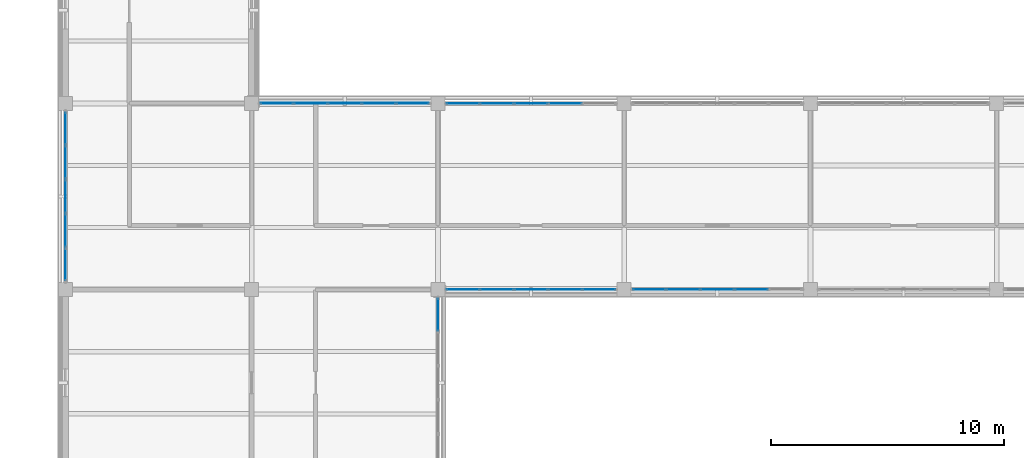
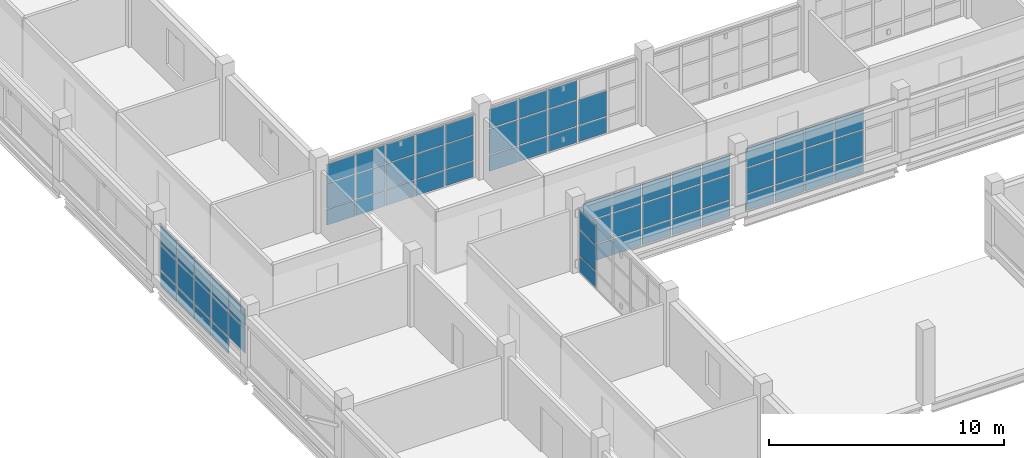
# One storey, part 67 of 126: 70 plates, 6 elements without a shape of their own.
"""IFC4 building model written with IfcOpenShell, lengths in metres."""

from ifc_helpers import new_model, si_unit, derived_unit, direction, frame, origin, origin_2d, place, context, subcontext, project, spatial, rectangle, extrude, material, layer, layer_set, type_object, element, aggregate, save


model = new_model("IFC4")

# Units and contexts
model_context = context("Model", 3, precision=1e-05, world=origin(), true_north=direction((0.0, 1.0)))
body_context = subcontext(model_context, "Body", "Model", "MODEL_VIEW")
ifc_project = project(units=[si_unit("LENGTHUNIT", "METRE"), si_unit("AREAUNIT", "SQUARE_METRE"), si_unit("VOLUMEUNIT", "CUBIC_METRE"), si_unit("PLANEANGLEUNIT", "RADIAN"), si_unit("MASSUNIT", "GRAM", prefix="KILO"), derived_unit("THERMALTRANSMITTANCEUNIT", [(si_unit("MASSUNIT", "GRAM", prefix="KILO"), 1), (si_unit("TIMEUNIT", "SECOND"), -3), (si_unit("THERMODYNAMICTEMPERATUREUNIT", "KELVIN"), -1)])], contexts=[model_context])

# Site, building, storey
site_placement = place(None, origin())
site = spatial("IfcSite", under=ifc_project, at=site_placement, CompositionType="ELEMENT")
building_placement = place(site_placement, origin())
building = spatial("IfcBuilding", under=site, at=building_placement, Name="Veyamyaing Civic Hall", CompositionType="ELEMENT")
storey_placement = place(building_placement, frame((0.0, 0.0, 9.89990234375)))
storey = spatial("IfcBuildingStorey", under=building, at=storey_placement, Name="L02", CompositionType="ELEMENT", Elevation=9.89990234375)

# Curtain wall, plates
ifc_material_1 = material(Name="Anodised aluminium 6063-T6", Category="aluminium")
ifc_layer_1 = layer(ifc_material_1, 0.139892578125, Name="Anodised aluminium 6063-T6")
ifc_layer_set_1 = layer_set([ifc_layer_1], Name="Anodised aluminium 6063-T6")
curtain_wall_type_1 = type_object("IfcCurtainWallType", Name="CW-04", PredefinedType="NOTDEFINED", material=ifc_layer_set_1)
curtain_wall_1_placement = place(storey_placement, origin())
curtain_wall_1 = element("IfcCurtainWall", 1, at=curtain_wall_1_placement, inside=storey, type_object=curtain_wall_type_1, Name="Unitized curtain wall CW-04 L02 S 4.7", PredefinedType="NOTDEFINED")
ifc_material_2 = material(Name="Low-E insulated glass", Category="glass")
ifc_layer_2 = layer(ifc_material_2, 0.028076171875, Name="Low-E insulated glass")
ifc_layer_set_2 = layer_set([ifc_layer_2], Name="Low-E insulated glass")
plate_type_1 = type_object("IfcPlateType", Name="CWP-01", PredefinedType="CURTAIN_PANEL", material=ifc_layer_set_2)
plate_1_placement = place(storey_placement, frame((25.0791015625, 48.0, 0.06005859375), z_axis=(0.0, 0.0, 1.0), x_axis=(1.0, 0.0, 0.0)))
plate_1 = element("IfcPlate", 2, at=plate_1_placement, type_object=plate_type_1, Name="CW-04 panel 1.1", PredefinedType="CURTAIN_PANEL", context=body_context, shape_type="SweptSolid", body=[
    extrude(rectangle(XDim=1.3779296875, YDim=0.028076171875, at=origin_2d()), origin(), (0.0, 0.0, 1.0), 0.81005859375),
])
plate_2_placement = place(storey_placement, frame((25.0791015625, 48.0, 0.93017578125), z_axis=(0.0, 0.0, 1.0), x_axis=(1.0, 0.0, 0.0)))
plate_2 = element("IfcPlate", 3, at=plate_2_placement, type_object=plate_type_1, Name="CW-04 panel 1.2", PredefinedType="CURTAIN_PANEL", context=body_context, shape_type="SweptSolid", body=[
    extrude(rectangle(XDim=1.3779296875, YDim=0.028076171875, at=origin_2d()), origin(), (0.0, 0.0, 1.0), 1.31591796875),
])
plate_3_placement = place(storey_placement, frame((25.0791015625, 48.0, 2.30615234375), z_axis=(0.0, 0.0, 1.0), x_axis=(1.0, 0.0, 0.0)))
plate_3 = element("IfcPlate", 4, at=plate_3_placement, type_object=plate_type_1, Name="CW-04 panel 1.3", PredefinedType="CURTAIN_PANEL", context=body_context, shape_type="SweptSolid", body=[
    extrude(rectangle(XDim=1.3779296875, YDim=0.028076171875, at=origin_2d()), origin(), (0.0, 0.0, 1.0), 0.98095703125),
])
plate_4_placement = place(storey_placement, frame((26.531982421875, 48.0, 0.06005859375), z_axis=(0.0, 0.0, 1.0), x_axis=(1.0, 0.0, 0.0)))
plate_4 = element("IfcPlate", 5, at=plate_4_placement, type_object=plate_type_1, Name="CW-04 panel 2.1", PredefinedType="CURTAIN_PANEL", context=body_context, shape_type="SweptSolid", body=[
    extrude(rectangle(XDim=1.407958984375, YDim=0.028076171875, at=origin_2d()), origin(), (0.0, 0.0, 1.0), 0.81005859375),
])
plate_5_placement = place(storey_placement, frame((26.531982421875, 48.0, 0.93017578125), z_axis=(0.0, 0.0, 1.0), x_axis=(1.0, 0.0, 0.0)))
plate_5 = element("IfcPlate", 6, at=plate_5_placement, type_object=plate_type_1, Name="CW-04 panel 2.2", PredefinedType="CURTAIN_PANEL", context=body_context, shape_type="SweptSolid", body=[
    extrude(rectangle(XDim=1.407958984375, YDim=0.028076171875, at=origin_2d()), origin(), (0.0, 0.0, 1.0), 1.31591796875),
])
plate_6_placement = place(storey_placement, frame((26.531982421875, 48.0, 2.30615234375), z_axis=(0.0, 0.0, 1.0), x_axis=(1.0, 0.0, 0.0)))
plate_6 = element("IfcPlate", 7, at=plate_6_placement, type_object=plate_type_1, Name="CW-04 panel 2.3", PredefinedType="CURTAIN_PANEL", context=body_context, shape_type="SweptSolid", body=[
    extrude(rectangle(XDim=1.407958984375, YDim=0.028076171875, at=origin_2d()), origin(), (0.0, 0.0, 1.0), 0.98095703125),
])
plate_7_placement = place(storey_placement, frame((28.0, 48.0, 0.06005859375), z_axis=(0.0, 0.0, 1.0), x_axis=(1.0, 0.0, 0.0)))
plate_7 = element("IfcPlate", 8, at=plate_7_placement, type_object=plate_type_1, Name="CW-04 panel 3.1", PredefinedType="CURTAIN_PANEL", context=body_context, shape_type="SweptSolid", body=[
    extrude(rectangle(XDim=1.407958984375, YDim=0.028076171875, at=origin_2d()), origin(), (0.0, 0.0, 1.0), 0.81005859375),
])
plate_8_placement = place(storey_placement, frame((28.0, 48.0, 0.93017578125), z_axis=(0.0, 0.0, 1.0), x_axis=(1.0, 0.0, 0.0)))
plate_8 = element("IfcPlate", 9, at=plate_8_placement, type_object=plate_type_1, Name="CW-04 panel 3.2", PredefinedType="CURTAIN_PANEL", context=body_context, shape_type="SweptSolid", body=[
    extrude(rectangle(XDim=1.407958984375, YDim=0.028076171875, at=origin_2d()), origin(), (0.0, 0.0, 1.0), 1.31591796875),
])
plate_9_placement = place(storey_placement, frame((28.0, 48.0, 2.30615234375), z_axis=(0.0, 0.0, 1.0), x_axis=(1.0, 0.0, 0.0)))
plate_9 = element("IfcPlate", 10, at=plate_9_placement, type_object=plate_type_1, Name="CW-04 panel 3.3", PredefinedType="CURTAIN_PANEL", context=body_context, shape_type="SweptSolid", body=[
    extrude(rectangle(XDim=1.407958984375, YDim=0.028076171875, at=origin_2d()), origin(), (0.0, 0.0, 1.0), 0.98095703125),
])
plate_10_placement = place(storey_placement, frame((29.468017578125, 48.0, 0.06005859375), z_axis=(0.0, 0.0, 1.0), x_axis=(1.0, 0.0, 0.0)))
plate_10 = element("IfcPlate", 11, at=plate_10_placement, type_object=plate_type_1, Name="CW-04 panel 4.1", PredefinedType="CURTAIN_PANEL", context=body_context, shape_type="SweptSolid", body=[
    extrude(rectangle(XDim=1.407958984375, YDim=0.028076171875, at=origin_2d()), origin(), (0.0, 0.0, 1.0), 0.81005859375),
])
plate_11_placement = place(storey_placement, frame((29.468017578125, 48.0, 0.93017578125), z_axis=(0.0, 0.0, 1.0), x_axis=(1.0, 0.0, 0.0)))
plate_11 = element("IfcPlate", 12, at=plate_11_placement, type_object=plate_type_1, Name="CW-04 panel 4.2", PredefinedType="CURTAIN_PANEL", context=body_context, shape_type="SweptSolid", body=[
    extrude(rectangle(XDim=1.407958984375, YDim=0.028076171875, at=origin_2d()), origin(), (0.0, 0.0, 1.0), 1.31591796875),
])
plate_12_placement = place(storey_placement, frame((29.468017578125, 48.0, 2.30615234375), z_axis=(0.0, 0.0, 1.0), x_axis=(1.0, 0.0, 0.0)))
plate_12 = element("IfcPlate", 13, at=plate_12_placement, type_object=plate_type_1, Name="CW-04 panel 4.3", PredefinedType="CURTAIN_PANEL", context=body_context, shape_type="SweptSolid", body=[
    extrude(rectangle(XDim=1.407958984375, YDim=0.028076171875, at=origin_2d()), origin(), (0.0, 0.0, 1.0), 0.98095703125),
])
aggregate(curtain_wall_1, [plate_1, plate_2, plate_3, plate_4, plate_5, plate_6, plate_7, plate_8, plate_9, plate_10, plate_11, plate_12])

ifc_layer_3 = layer(ifc_material_1, 0.159912109375, Name="Anodised aluminium 6063-T6")
ifc_layer_set_3 = layer_set([ifc_layer_3], Name="Anodised aluminium 6063-T6")
curtain_wall_type_2 = type_object("IfcCurtainWallType", Name="CW-03", PredefinedType="NOTDEFINED", material=ifc_layer_set_3)
curtain_wall_2_placement = place(storey_placement, origin())
curtain_wall_2 = element("IfcCurtainWall", 14, at=curtain_wall_2_placement, inside=storey, type_object=curtain_wall_type_2, Name="Unitized curtain wall CW-03 L02 W 1.7", PredefinedType="NOTDEFINED")
ifc_layer_4 = layer(ifc_material_2, 0.02392578125, Name="Low-E insulated glass")
ifc_layer_set_4 = layer_set([ifc_layer_4], Name="Low-E insulated glass")
plate_type_2 = type_object("IfcPlateType", Name="CWP-04", PredefinedType="CURTAIN_PANEL", material=ifc_layer_set_4)
plate_13_placement = place(storey_placement, frame((0.0, 49.080322265625, 0.9326171875), z_axis=(0.0, 0.0, 1.0), x_axis=(0.0, 1.0, 0.0)))
plate_13 = element("IfcPlate", 15, at=plate_13_placement, type_object=plate_type_2, Name="CW-03 panel 1.2", PredefinedType="CURTAIN_PANEL", context=body_context, shape_type="SweptSolid", body=[
    extrude(rectangle(XDim=1.37060546875, YDim=0.02392578125, at=origin_2d()), origin(), (0.0, 0.0, 1.0), 1.265380859375),
])
plate_14_placement = place(storey_placement, frame((0.0, 49.080322265625, 2.262939453125), z_axis=(0.0, 0.0, 1.0), x_axis=(0.0, 1.0, 0.0)))
plate_14 = element("IfcPlate", 16, at=plate_14_placement, type_object=plate_type_2, Name="CW-03 panel 1.3", PredefinedType="CURTAIN_PANEL", context=body_context, shape_type="SweptSolid", body=[
    extrude(rectangle(XDim=1.37060546875, YDim=0.02392578125, at=origin_2d()), origin(), (0.0, 0.0, 1.0), 0.9521484375),
])
plate_15_placement = place(storey_placement, frame((0.0, 50.531982421875, 0.06494140625), z_axis=(0.0, 0.0, 1.0), x_axis=(0.0, 1.0, 0.0)))
plate_15 = element("IfcPlate", 17, at=plate_15_placement, type_object=plate_type_2, Name="CW-03 panel 2.1", PredefinedType="CURTAIN_PANEL", context=body_context, shape_type="SweptSolid", body=[
    extrude(rectangle(XDim=1.403076171875, YDim=0.02392578125, at=origin_2d()), origin(), (0.0, 0.0, 1.0), 0.802490234375),
])
plate_16_placement = place(storey_placement, frame((0.0, 50.531982421875, 0.9326171875), z_axis=(0.0, 0.0, 1.0), x_axis=(0.0, 1.0, 0.0)))
plate_16 = element("IfcPlate", 18, at=plate_16_placement, type_object=plate_type_2, Name="CW-03 panel 2.2", PredefinedType="CURTAIN_PANEL", context=body_context, shape_type="SweptSolid", body=[
    extrude(rectangle(XDim=1.403076171875, YDim=0.02392578125, at=origin_2d()), origin(), (0.0, 0.0, 1.0), 1.265380859375),
])
plate_17_placement = place(storey_placement, frame((0.0, 50.531982421875, 2.262939453125), z_axis=(0.0, 0.0, 1.0), x_axis=(0.0, 1.0, 0.0)))
plate_17 = element("IfcPlate", 19, at=plate_17_placement, type_object=plate_type_2, Name="CW-03 panel 2.3", PredefinedType="CURTAIN_PANEL", context=body_context, shape_type="SweptSolid", body=[
    extrude(rectangle(XDim=1.403076171875, YDim=0.02392578125, at=origin_2d()), origin(), (0.0, 0.0, 1.0), 0.9521484375),
])
plate_18_placement = place(storey_placement, frame((0.0, 52.0, 0.06494140625), z_axis=(0.0, 0.0, 1.0), x_axis=(0.0, 1.0, 0.0)))
plate_18 = element("IfcPlate", 20, at=plate_18_placement, type_object=plate_type_2, Name="CW-03 panel 3.1", PredefinedType="CURTAIN_PANEL", context=body_context, shape_type="SweptSolid", body=[
    extrude(rectangle(XDim=1.403076171875, YDim=0.02392578125, at=origin_2d()), origin(), (0.0, 0.0, 1.0), 0.802490234375),
])
plate_19_placement = place(storey_placement, frame((0.0, 52.0, 0.9326171875), z_axis=(0.0, 0.0, 1.0), x_axis=(0.0, 1.0, 0.0)))
plate_19 = element("IfcPlate", 21, at=plate_19_placement, type_object=plate_type_2, Name="CW-03 panel 3.2", PredefinedType="CURTAIN_PANEL", context=body_context, shape_type="SweptSolid", body=[
    extrude(rectangle(XDim=1.403076171875, YDim=0.02392578125, at=origin_2d()), origin(), (0.0, 0.0, 1.0), 1.265380859375),
])
plate_20_placement = place(storey_placement, frame((0.0, 52.0, 2.262939453125), z_axis=(0.0, 0.0, 1.0), x_axis=(0.0, 1.0, 0.0)))
plate_20 = element("IfcPlate", 22, at=plate_20_placement, type_object=plate_type_2, Name="CW-03 panel 3.3", PredefinedType="CURTAIN_PANEL", context=body_context, shape_type="SweptSolid", body=[
    extrude(rectangle(XDim=1.403076171875, YDim=0.02392578125, at=origin_2d()), origin(), (0.0, 0.0, 1.0), 0.9521484375),
])
plate_21_placement = place(storey_placement, frame((0.0, 53.468017578125, 0.06494140625), z_axis=(0.0, 0.0, 1.0), x_axis=(0.0, 1.0, 0.0)))
plate_21 = element("IfcPlate", 23, at=plate_21_placement, type_object=plate_type_2, Name="CW-03 panel 4.1", PredefinedType="CURTAIN_PANEL", context=body_context, shape_type="SweptSolid", body=[
    extrude(rectangle(XDim=1.403076171875, YDim=0.02392578125, at=origin_2d()), origin(), (0.0, 0.0, 1.0), 0.802490234375),
])
plate_22_placement = place(storey_placement, frame((0.0, 53.468017578125, 0.9326171875), z_axis=(0.0, 0.0, 1.0), x_axis=(0.0, 1.0, 0.0)))
plate_22 = element("IfcPlate", 24, at=plate_22_placement, type_object=plate_type_2, Name="CW-03 panel 4.2", PredefinedType="CURTAIN_PANEL", context=body_context, shape_type="SweptSolid", body=[
    extrude(rectangle(XDim=1.403076171875, YDim=0.02392578125, at=origin_2d()), origin(), (0.0, 0.0, 1.0), 1.265380859375),
])
plate_23_placement = place(storey_placement, frame((0.0, 53.468017578125, 2.262939453125), z_axis=(0.0, 0.0, 1.0), x_axis=(0.0, 1.0, 0.0)))
plate_23 = element("IfcPlate", 25, at=plate_23_placement, type_object=plate_type_2, Name="CW-03 panel 4.3", PredefinedType="CURTAIN_PANEL", context=body_context, shape_type="SweptSolid", body=[
    extrude(rectangle(XDim=1.403076171875, YDim=0.02392578125, at=origin_2d()), origin(), (0.0, 0.0, 1.0), 0.9521484375),
])
plate_24_placement = place(storey_placement, frame((0.0, 54.919677734375, 0.06494140625), z_axis=(0.0, 0.0, 1.0), x_axis=(0.0, 1.0, 0.0)))
plate_24 = element("IfcPlate", 26, at=plate_24_placement, type_object=plate_type_2, Name="CW-03 panel 5.1", PredefinedType="CURTAIN_PANEL", context=body_context, shape_type="SweptSolid", body=[
    extrude(rectangle(XDim=1.37060546875, YDim=0.02392578125, at=origin_2d()), origin(), (0.0, 0.0, 1.0), 0.802490234375),
])
plate_25_placement = place(storey_placement, frame((0.0, 54.919677734375, 0.9326171875), z_axis=(0.0, 0.0, 1.0), x_axis=(0.0, 1.0, 0.0)))
plate_25 = element("IfcPlate", 27, at=plate_25_placement, type_object=plate_type_2, Name="CW-03 panel 5.2", PredefinedType="CURTAIN_PANEL", context=body_context, shape_type="SweptSolid", body=[
    extrude(rectangle(XDim=1.37060546875, YDim=0.02392578125, at=origin_2d()), origin(), (0.0, 0.0, 1.0), 1.265380859375),
])
plate_26_placement = place(storey_placement, frame((0.0, 54.919677734375, 2.262939453125), z_axis=(0.0, 0.0, 1.0), x_axis=(0.0, 1.0, 0.0)))
plate_26 = element("IfcPlate", 28, at=plate_26_placement, type_object=plate_type_2, Name="CW-03 panel 5.3", PredefinedType="CURTAIN_PANEL", context=body_context, shape_type="SweptSolid", body=[
    extrude(rectangle(XDim=1.37060546875, YDim=0.02392578125, at=origin_2d()), origin(), (0.0, 0.0, 1.0), 0.9521484375),
])
aggregate(curtain_wall_2, [plate_13, plate_14, plate_15, plate_16, plate_17, plate_18, plate_19, plate_20, plate_21, plate_22, plate_23, plate_24, plate_25, plate_26])

curtain_wall_3_placement = place(storey_placement, origin())
curtain_wall_3 = element("IfcCurtainWall", 29, at=curtain_wall_3_placement, inside=storey, type_object=curtain_wall_type_1, Name="Unitized curtain wall CW-04 L02 E 2.6", PredefinedType="NOTDEFINED")
plate_27_placement = place(storey_placement, frame((16.0, 46.9208984375, 0.06005859375), z_axis=(0.0, 0.0, 1.0), x_axis=(0.0, 1.0, 0.0)))
plate_27 = element("IfcPlate", 30, at=plate_27_placement, type_object=plate_type_2, Name="CW-04 panel 5.1", PredefinedType="CURTAIN_PANEL", context=body_context, shape_type="SweptSolid", body=[
    extrude(rectangle(XDim=1.3779296875, YDim=0.02392578125, at=origin_2d()), origin(), (0.0, 0.0, 1.0), 0.81005859375),
])
plate_28_placement = place(storey_placement, frame((16.0, 46.9208984375, 0.93017578125), z_axis=(0.0, 0.0, 1.0), x_axis=(0.0, 1.0, 0.0)))
plate_28 = element("IfcPlate", 31, at=plate_28_placement, type_object=plate_type_2, Name="CW-04 panel 5.2", PredefinedType="CURTAIN_PANEL", context=body_context, shape_type="SweptSolid", body=[
    extrude(rectangle(XDim=1.3779296875, YDim=0.02392578125, at=origin_2d()), origin(), (0.0, 0.0, 1.0), 1.31396484375),
])
plate_29_placement = place(storey_placement, frame((16.0, 46.9208984375, 2.303955078125), z_axis=(0.0, 0.0, 1.0), x_axis=(0.0, 1.0, 0.0)))
plate_29 = element("IfcPlate", 32, at=plate_29_placement, type_object=plate_type_2, Name="CW-04 panel 5.3", PredefinedType="CURTAIN_PANEL", context=body_context, shape_type="SweptSolid", body=[
    extrude(rectangle(XDim=1.3779296875, YDim=0.02392578125, at=origin_2d()), origin(), (0.0, 0.0, 1.0), 0.97998046875),
])
aggregate(curtain_wall_3, [plate_27, plate_28, plate_29])

curtain_wall_4_placement = place(storey_placement, origin())
curtain_wall_4 = element("IfcCurtainWall", 33, at=curtain_wall_4_placement, inside=storey, type_object=curtain_wall_type_1, Name="Unitized curtain wall CW-04 L02 N 2.7", PredefinedType="NOTDEFINED")
ifc_layer_5 = layer(ifc_material_2, 0.0400390625, Name="Low-E insulated glass")
ifc_layer_set_5 = layer_set([ifc_layer_5], Name="Low-E insulated glass")
plate_type_3 = type_object("IfcPlateType", Name="CWP-05", PredefinedType="CURTAIN_PANEL", material=ifc_layer_set_5)
plate_30_placement = place(storey_placement, frame((9.0791015625, 56.0, 0.06005859375), z_axis=(0.0, 0.0, 1.0), x_axis=(1.0, 0.0, 0.0)))
plate_30 = element("IfcPlate", 34, at=plate_30_placement, type_object=plate_type_3, Name="CW-04 panel 1.1", PredefinedType="CURTAIN_PANEL", context=body_context, shape_type="SweptSolid", body=[
    extrude(rectangle(XDim=1.3779296875, YDim=0.0400390625, at=origin_2d()), origin(), (0.0, 0.0, 1.0), 0.81005859375),
])
plate_31_placement = place(storey_placement, frame((9.0791015625, 56.0, 0.93017578125), z_axis=(0.0, 0.0, 1.0), x_axis=(1.0, 0.0, 0.0)))
plate_31 = element("IfcPlate", 35, at=plate_31_placement, type_object=plate_type_3, Name="CW-04 panel 1.2", PredefinedType="CURTAIN_PANEL", context=body_context, shape_type="SweptSolid", body=[
    extrude(rectangle(XDim=1.3779296875, YDim=0.0400390625, at=origin_2d()), origin(), (0.0, 0.0, 1.0), 1.273193359375),
])
plate_32_placement = place(storey_placement, frame((9.0791015625, 56.0, 2.26318359375), z_axis=(0.0, 0.0, 1.0), x_axis=(1.0, 0.0, 0.0)))
plate_32 = element("IfcPlate", 36, at=plate_32_placement, type_object=plate_type_3, Name="CW-04 panel 1.3", PredefinedType="CURTAIN_PANEL", context=body_context, shape_type="SweptSolid", body=[
    extrude(rectangle(XDim=1.3779296875, YDim=0.0400390625, at=origin_2d()), origin(), (0.0, 0.0, 1.0), 0.9609375),
])
plate_33_placement = place(storey_placement, frame((10.531982421875, 56.0, 0.06005859375), z_axis=(0.0, 0.0, 1.0), x_axis=(1.0, 0.0, 0.0)))
plate_33 = element("IfcPlate", 37, at=plate_33_placement, type_object=plate_type_3, Name="CW-04 panel 2.1", PredefinedType="CURTAIN_PANEL", context=body_context, shape_type="SweptSolid", body=[
    extrude(rectangle(XDim=1.407958984375, YDim=0.0400390625, at=origin_2d()), origin(), (0.0, 0.0, 1.0), 0.81005859375),
])
plate_34_placement = place(storey_placement, frame((10.531982421875, 56.0, 0.93017578125), z_axis=(0.0, 0.0, 1.0), x_axis=(1.0, 0.0, 0.0)))
plate_34 = element("IfcPlate", 38, at=plate_34_placement, type_object=plate_type_3, Name="CW-04 panel 2.2", PredefinedType="CURTAIN_PANEL", context=body_context, shape_type="SweptSolid", body=[
    extrude(rectangle(XDim=1.407958984375, YDim=0.0400390625, at=origin_2d()), origin(), (0.0, 0.0, 1.0), 1.273193359375),
])
plate_35_placement = place(storey_placement, frame((10.531982421875, 56.0, 2.26318359375), z_axis=(0.0, 0.0, 1.0), x_axis=(1.0, 0.0, 0.0)))
plate_35 = element("IfcPlate", 39, at=plate_35_placement, type_object=plate_type_3, Name="CW-04 panel 2.3", PredefinedType="CURTAIN_PANEL", context=body_context, shape_type="SweptSolid", body=[
    extrude(rectangle(XDim=1.407958984375, YDim=0.0400390625, at=origin_2d()), origin(), (0.0, 0.0, 1.0), 0.9609375),
])
plate_36_placement = place(storey_placement, frame((12.0, 56.0, 0.06005859375), z_axis=(0.0, 0.0, 1.0), x_axis=(1.0, 0.0, 0.0)))
plate_36 = element("IfcPlate", 40, at=plate_36_placement, type_object=plate_type_3, Name="CW-04 panel 3.1", PredefinedType="CURTAIN_PANEL", context=body_context, shape_type="SweptSolid", body=[
    extrude(rectangle(XDim=1.407958984375, YDim=0.0400390625, at=origin_2d()), origin(), (0.0, 0.0, 1.0), 0.81005859375),
])
plate_37_placement = place(storey_placement, frame((12.0, 56.0, 0.93017578125), z_axis=(0.0, 0.0, 1.0), x_axis=(1.0, 0.0, 0.0)))
plate_37 = element("IfcPlate", 41, at=plate_37_placement, type_object=plate_type_3, Name="CW-04 panel 3.2", PredefinedType="CURTAIN_PANEL", context=body_context, shape_type="SweptSolid", body=[
    extrude(rectangle(XDim=1.407958984375, YDim=0.0400390625, at=origin_2d()), origin(), (0.0, 0.0, 1.0), 1.273193359375),
])
plate_38_placement = place(storey_placement, frame((12.0, 56.0, 2.26318359375), z_axis=(0.0, 0.0, 1.0), x_axis=(1.0, 0.0, 0.0)))
plate_38 = element("IfcPlate", 42, at=plate_38_placement, type_object=plate_type_3, Name="CW-04 panel 3.3", PredefinedType="CURTAIN_PANEL", context=body_context, shape_type="SweptSolid", body=[
    extrude(rectangle(XDim=1.407958984375, YDim=0.0400390625, at=origin_2d()), origin(), (0.0, 0.0, 1.0), 0.9609375),
])
plate_39_placement = place(storey_placement, frame((13.468017578125, 56.0, 0.06005859375), z_axis=(0.0, 0.0, 1.0), x_axis=(1.0, 0.0, 0.0)))
plate_39 = element("IfcPlate", 43, at=plate_39_placement, type_object=plate_type_3, Name="CW-04 panel 4.1", PredefinedType="CURTAIN_PANEL", context=body_context, shape_type="SweptSolid", body=[
    extrude(rectangle(XDim=1.407958984375, YDim=0.0400390625, at=origin_2d()), origin(), (0.0, 0.0, 1.0), 0.81005859375),
])
plate_40_placement = place(storey_placement, frame((13.468017578125, 56.0, 0.93017578125), z_axis=(0.0, 0.0, 1.0), x_axis=(1.0, 0.0, 0.0)))
plate_40 = element("IfcPlate", 44, at=plate_40_placement, type_object=plate_type_3, Name="CW-04 panel 4.2", PredefinedType="CURTAIN_PANEL", context=body_context, shape_type="SweptSolid", body=[
    extrude(rectangle(XDim=1.407958984375, YDim=0.0400390625, at=origin_2d()), origin(), (0.0, 0.0, 1.0), 1.273193359375),
])
plate_41_placement = place(storey_placement, frame((13.468017578125, 56.0, 2.26318359375), z_axis=(0.0, 0.0, 1.0), x_axis=(1.0, 0.0, 0.0)))
plate_41 = element("IfcPlate", 45, at=plate_41_placement, type_object=plate_type_3, Name="CW-04 panel 4.3", PredefinedType="CURTAIN_PANEL", context=body_context, shape_type="SweptSolid", body=[
    extrude(rectangle(XDim=1.407958984375, YDim=0.0400390625, at=origin_2d()), origin(), (0.0, 0.0, 1.0), 0.9609375),
])
plate_42_placement = place(storey_placement, frame((14.9208984375, 56.0, 0.06005859375), z_axis=(0.0, 0.0, 1.0), x_axis=(1.0, 0.0, 0.0)))
plate_42 = element("IfcPlate", 46, at=plate_42_placement, type_object=plate_type_3, Name="CW-04 panel 5.1", PredefinedType="CURTAIN_PANEL", context=body_context, shape_type="SweptSolid", body=[
    extrude(rectangle(XDim=1.3779296875, YDim=0.0400390625, at=origin_2d()), origin(), (0.0, 0.0, 1.0), 0.81005859375),
])
plate_43_placement = place(storey_placement, frame((14.9208984375, 56.0, 0.93017578125), z_axis=(0.0, 0.0, 1.0), x_axis=(1.0, 0.0, 0.0)))
plate_43 = element("IfcPlate", 47, at=plate_43_placement, type_object=plate_type_3, Name="CW-04 panel 5.2", PredefinedType="CURTAIN_PANEL", context=body_context, shape_type="SweptSolid", body=[
    extrude(rectangle(XDim=1.3779296875, YDim=0.0400390625, at=origin_2d()), origin(), (0.0, 0.0, 1.0), 1.273193359375),
])
plate_44_placement = place(storey_placement, frame((14.9208984375, 56.0, 2.26318359375), z_axis=(0.0, 0.0, 1.0), x_axis=(1.0, 0.0, 0.0)))
plate_44 = element("IfcPlate", 48, at=plate_44_placement, type_object=plate_type_3, Name="CW-04 panel 5.3", PredefinedType="CURTAIN_PANEL", context=body_context, shape_type="SweptSolid", body=[
    extrude(rectangle(XDim=1.3779296875, YDim=0.0400390625, at=origin_2d()), origin(), (0.0, 0.0, 1.0), 0.9609375),
])
aggregate(curtain_wall_4, [plate_30, plate_31, plate_32, plate_33, plate_34, plate_35, plate_36, plate_37, plate_38, plate_39, plate_40, plate_41, plate_42, plate_43, plate_44])

curtain_wall_5_placement = place(storey_placement, origin())
curtain_wall_5 = element("IfcCurtainWall", 49, at=curtain_wall_5_placement, inside=storey, type_object=curtain_wall_type_1, Name="Unitized curtain wall CW-04 L02 S 3.7", PredefinedType="NOTDEFINED")
ifc_layer_6 = layer(ifc_material_2, 0.02197265625, Name="Low-E insulated glass")
ifc_layer_set_6 = layer_set([ifc_layer_6], Name="Low-E insulated glass")
plate_type_4 = type_object("IfcPlateType", Name="CWP-06", PredefinedType="CURTAIN_PANEL", material=ifc_layer_set_6)
plate_45_placement = place(storey_placement, frame((17.0791015625, 48.0, 0.06005859375), z_axis=(0.0, 0.0, 1.0), x_axis=(1.0, 0.0, 0.0)))
plate_45 = element("IfcPlate", 50, at=plate_45_placement, type_object=plate_type_4, Name="CW-04 panel 1.1", PredefinedType="CURTAIN_PANEL", context=body_context, shape_type="SweptSolid", body=[
    extrude(rectangle(XDim=1.3779296875, YDim=0.02197265625, at=origin_2d()), origin(), (0.0, 0.0, 1.0), 0.81005859375),
])
plate_46_placement = place(storey_placement, frame((17.0791015625, 48.0, 0.93017578125), z_axis=(0.0, 0.0, 1.0), x_axis=(1.0, 0.0, 0.0)))
plate_46 = element("IfcPlate", 51, at=plate_46_placement, type_object=plate_type_4, Name="CW-04 panel 1.2", PredefinedType="CURTAIN_PANEL", context=body_context, shape_type="SweptSolid", body=[
    extrude(rectangle(XDim=1.3779296875, YDim=0.02197265625, at=origin_2d()), origin(), (0.0, 0.0, 1.0), 1.273193359375),
])
plate_47_placement = place(storey_placement, frame((17.0791015625, 48.0, 2.26318359375), z_axis=(0.0, 0.0, 1.0), x_axis=(1.0, 0.0, 0.0)))
plate_47 = element("IfcPlate", 52, at=plate_47_placement, type_object=plate_type_4, Name="CW-04 panel 1.3", PredefinedType="CURTAIN_PANEL", context=body_context, shape_type="SweptSolid", body=[
    extrude(rectangle(XDim=1.3779296875, YDim=0.02197265625, at=origin_2d()), origin(), (0.0, 0.0, 1.0), 0.9609375),
])
plate_48_placement = place(storey_placement, frame((18.531982421875, 48.0, 0.06005859375), z_axis=(0.0, 0.0, 1.0), x_axis=(1.0, 0.0, 0.0)))
plate_48 = element("IfcPlate", 53, at=plate_48_placement, type_object=plate_type_4, Name="CW-04 panel 2.1", PredefinedType="CURTAIN_PANEL", context=body_context, shape_type="SweptSolid", body=[
    extrude(rectangle(XDim=1.407958984375, YDim=0.02197265625, at=origin_2d()), origin(), (0.0, 0.0, 1.0), 0.81005859375),
])
plate_49_placement = place(storey_placement, frame((18.531982421875, 48.0, 0.93017578125), z_axis=(0.0, 0.0, 1.0), x_axis=(1.0, 0.0, 0.0)))
plate_49 = element("IfcPlate", 54, at=plate_49_placement, type_object=plate_type_4, Name="CW-04 panel 2.2", PredefinedType="CURTAIN_PANEL", context=body_context, shape_type="SweptSolid", body=[
    extrude(rectangle(XDim=1.407958984375, YDim=0.02197265625, at=origin_2d()), origin(), (0.0, 0.0, 1.0), 1.273193359375),
])
plate_50_placement = place(storey_placement, frame((18.531982421875, 48.0, 2.26318359375), z_axis=(0.0, 0.0, 1.0), x_axis=(1.0, 0.0, 0.0)))
plate_50 = element("IfcPlate", 55, at=plate_50_placement, type_object=plate_type_4, Name="CW-04 panel 2.3", PredefinedType="CURTAIN_PANEL", context=body_context, shape_type="SweptSolid", body=[
    extrude(rectangle(XDim=1.407958984375, YDim=0.02197265625, at=origin_2d()), origin(), (0.0, 0.0, 1.0), 0.9609375),
])
plate_51_placement = place(storey_placement, frame((20.0, 48.0, 0.06005859375), z_axis=(0.0, 0.0, 1.0), x_axis=(1.0, 0.0, 0.0)))
plate_51 = element("IfcPlate", 56, at=plate_51_placement, type_object=plate_type_4, Name="CW-04 panel 3.1", PredefinedType="CURTAIN_PANEL", context=body_context, shape_type="SweptSolid", body=[
    extrude(rectangle(XDim=1.407958984375, YDim=0.02197265625, at=origin_2d()), origin(), (0.0, 0.0, 1.0), 0.81005859375),
])
plate_52_placement = place(storey_placement, frame((20.0, 48.0, 0.93017578125), z_axis=(0.0, 0.0, 1.0), x_axis=(1.0, 0.0, 0.0)))
plate_52 = element("IfcPlate", 57, at=plate_52_placement, type_object=plate_type_4, Name="CW-04 panel 3.2", PredefinedType="CURTAIN_PANEL", context=body_context, shape_type="SweptSolid", body=[
    extrude(rectangle(XDim=1.407958984375, YDim=0.02197265625, at=origin_2d()), origin(), (0.0, 0.0, 1.0), 1.273193359375),
])
plate_53_placement = place(storey_placement, frame((20.0, 48.0, 2.26318359375), z_axis=(0.0, 0.0, 1.0), x_axis=(1.0, 0.0, 0.0)))
plate_53 = element("IfcPlate", 58, at=plate_53_placement, type_object=plate_type_4, Name="CW-04 panel 3.3", PredefinedType="CURTAIN_PANEL", context=body_context, shape_type="SweptSolid", body=[
    extrude(rectangle(XDim=1.407958984375, YDim=0.02197265625, at=origin_2d()), origin(), (0.0, 0.0, 1.0), 0.9609375),
])
plate_54_placement = place(storey_placement, frame((21.468017578125, 48.0, 0.06005859375), z_axis=(0.0, 0.0, 1.0), x_axis=(1.0, 0.0, 0.0)))
plate_54 = element("IfcPlate", 59, at=plate_54_placement, type_object=plate_type_4, Name="CW-04 panel 4.1", PredefinedType="CURTAIN_PANEL", context=body_context, shape_type="SweptSolid", body=[
    extrude(rectangle(XDim=1.407958984375, YDim=0.02197265625, at=origin_2d()), origin(), (0.0, 0.0, 1.0), 0.81005859375),
])
plate_55_placement = place(storey_placement, frame((21.468017578125, 48.0, 0.93017578125), z_axis=(0.0, 0.0, 1.0), x_axis=(1.0, 0.0, 0.0)))
plate_55 = element("IfcPlate", 60, at=plate_55_placement, type_object=plate_type_4, Name="CW-04 panel 4.2", PredefinedType="CURTAIN_PANEL", context=body_context, shape_type="SweptSolid", body=[
    extrude(rectangle(XDim=1.407958984375, YDim=0.02197265625, at=origin_2d()), origin(), (0.0, 0.0, 1.0), 1.273193359375),
])
plate_56_placement = place(storey_placement, frame((21.468017578125, 48.0, 2.26318359375), z_axis=(0.0, 0.0, 1.0), x_axis=(1.0, 0.0, 0.0)))
plate_56 = element("IfcPlate", 61, at=plate_56_placement, type_object=plate_type_4, Name="CW-04 panel 4.3", PredefinedType="CURTAIN_PANEL", context=body_context, shape_type="SweptSolid", body=[
    extrude(rectangle(XDim=1.407958984375, YDim=0.02197265625, at=origin_2d()), origin(), (0.0, 0.0, 1.0), 0.9609375),
])
plate_57_placement = place(storey_placement, frame((22.9208984375, 48.0, 0.06005859375), z_axis=(0.0, 0.0, 1.0), x_axis=(1.0, 0.0, 0.0)))
plate_57 = element("IfcPlate", 62, at=plate_57_placement, type_object=plate_type_4, Name="CW-04 panel 5.1", PredefinedType="CURTAIN_PANEL", context=body_context, shape_type="SweptSolid", body=[
    extrude(rectangle(XDim=1.3779296875, YDim=0.02197265625, at=origin_2d()), origin(), (0.0, 0.0, 1.0), 0.81005859375),
])
plate_58_placement = place(storey_placement, frame((22.9208984375, 48.0, 0.93017578125), z_axis=(0.0, 0.0, 1.0), x_axis=(1.0, 0.0, 0.0)))
plate_58 = element("IfcPlate", 63, at=plate_58_placement, type_object=plate_type_4, Name="CW-04 panel 5.2", PredefinedType="CURTAIN_PANEL", context=body_context, shape_type="SweptSolid", body=[
    extrude(rectangle(XDim=1.3779296875, YDim=0.02197265625, at=origin_2d()), origin(), (0.0, 0.0, 1.0), 1.273193359375),
])
plate_59_placement = place(storey_placement, frame((22.9208984375, 48.0, 2.26318359375), z_axis=(0.0, 0.0, 1.0), x_axis=(1.0, 0.0, 0.0)))
plate_59 = element("IfcPlate", 64, at=plate_59_placement, type_object=plate_type_4, Name="CW-04 panel 5.3", PredefinedType="CURTAIN_PANEL", context=body_context, shape_type="SweptSolid", body=[
    extrude(rectangle(XDim=1.3779296875, YDim=0.02197265625, at=origin_2d()), origin(), (0.0, 0.0, 1.0), 0.9609375),
])
aggregate(curtain_wall_5, [plate_45, plate_46, plate_47, plate_48, plate_49, plate_50, plate_51, plate_52, plate_53, plate_54, plate_55, plate_56, plate_57, plate_58, plate_59])

curtain_wall_6_placement = place(storey_placement, origin())
curtain_wall_6 = element("IfcCurtainWall", 65, at=curtain_wall_6_placement, inside=storey, type_object=curtain_wall_type_1, Name="Unitized curtain wall CW-04 L02 N 3.7", PredefinedType="NOTDEFINED")
plate_60_placement = place(storey_placement, frame((17.0791015625, 56.0, 0.06005859375), z_axis=(0.0, 0.0, 1.0), x_axis=(1.0, 0.0, 0.0)))
plate_60 = element("IfcPlate", 66, at=plate_60_placement, type_object=plate_type_4, Name="CW-04 panel 1.1", PredefinedType="CURTAIN_PANEL", context=body_context, shape_type="SweptSolid", body=[
    extrude(rectangle(XDim=1.3779296875, YDim=0.02197265625, at=origin_2d()), origin(), (0.0, 0.0, 1.0), 0.81005859375),
])
plate_61_placement = place(storey_placement, frame((17.0791015625, 56.0, 0.93017578125), z_axis=(0.0, 0.0, 1.0), x_axis=(1.0, 0.0, 0.0)))
plate_61 = element("IfcPlate", 67, at=plate_61_placement, type_object=plate_type_4, Name="CW-04 panel 1.2", PredefinedType="CURTAIN_PANEL", context=body_context, shape_type="SweptSolid", body=[
    extrude(rectangle(XDim=1.3779296875, YDim=0.02197265625, at=origin_2d()), origin(), (0.0, 0.0, 1.0), 1.31591796875),
])
plate_62_placement = place(storey_placement, frame((17.0791015625, 56.0, 2.30615234375), z_axis=(0.0, 0.0, 1.0), x_axis=(1.0, 0.0, 0.0)))
plate_62 = element("IfcPlate", 68, at=plate_62_placement, type_object=plate_type_4, Name="CW-04 panel 1.3", PredefinedType="CURTAIN_PANEL", context=body_context, shape_type="SweptSolid", body=[
    extrude(rectangle(XDim=1.3779296875, YDim=0.02197265625, at=origin_2d()), origin(), (0.0, 0.0, 1.0), 0.98095703125),
])
plate_63_placement = place(storey_placement, frame((18.531982421875, 56.0, 0.06005859375), z_axis=(0.0, 0.0, 1.0), x_axis=(1.0, 0.0, 0.0)))
plate_63 = element("IfcPlate", 69, at=plate_63_placement, type_object=plate_type_4, Name="CW-04 panel 2.1", PredefinedType="CURTAIN_PANEL", context=body_context, shape_type="SweptSolid", body=[
    extrude(rectangle(XDim=1.407958984375, YDim=0.02197265625, at=origin_2d()), origin(), (0.0, 0.0, 1.0), 0.81005859375),
])
plate_64_placement = place(storey_placement, frame((18.531982421875, 56.0, 0.93017578125), z_axis=(0.0, 0.0, 1.0), x_axis=(1.0, 0.0, 0.0)))
plate_64 = element("IfcPlate", 70, at=plate_64_placement, type_object=plate_type_4, Name="CW-04 panel 2.2", PredefinedType="CURTAIN_PANEL", context=body_context, shape_type="SweptSolid", body=[
    extrude(rectangle(XDim=1.407958984375, YDim=0.02197265625, at=origin_2d()), origin(), (0.0, 0.0, 1.0), 1.31591796875),
])
plate_65_placement = place(storey_placement, frame((18.531982421875, 56.0, 2.30615234375), z_axis=(0.0, 0.0, 1.0), x_axis=(1.0, 0.0, 0.0)))
plate_65 = element("IfcPlate", 71, at=plate_65_placement, type_object=plate_type_4, Name="CW-04 panel 2.3", PredefinedType="CURTAIN_PANEL", context=body_context, shape_type="SweptSolid", body=[
    extrude(rectangle(XDim=1.407958984375, YDim=0.02197265625, at=origin_2d()), origin(), (0.0, 0.0, 1.0), 0.98095703125),
])
plate_66_placement = place(storey_placement, frame((20.0, 56.0, 0.06005859375), z_axis=(0.0, 0.0, 1.0), x_axis=(1.0, 0.0, 0.0)))
plate_66 = element("IfcPlate", 72, at=plate_66_placement, type_object=plate_type_4, Name="CW-04 panel 3.1", PredefinedType="CURTAIN_PANEL", context=body_context, shape_type="SweptSolid", body=[
    extrude(rectangle(XDim=1.407958984375, YDim=0.02197265625, at=origin_2d()), origin(), (0.0, 0.0, 1.0), 0.81005859375),
])
plate_67_placement = place(storey_placement, frame((20.0, 56.0, 0.93017578125), z_axis=(0.0, 0.0, 1.0), x_axis=(1.0, 0.0, 0.0)))
plate_67 = element("IfcPlate", 73, at=plate_67_placement, type_object=plate_type_4, Name="CW-04 panel 3.2", PredefinedType="CURTAIN_PANEL", context=body_context, shape_type="SweptSolid", body=[
    extrude(rectangle(XDim=1.407958984375, YDim=0.02197265625, at=origin_2d()), origin(), (0.0, 0.0, 1.0), 1.31591796875),
])
plate_68_placement = place(storey_placement, frame((20.0, 56.0, 2.30615234375), z_axis=(0.0, 0.0, 1.0), x_axis=(1.0, 0.0, 0.0)))
plate_68 = element("IfcPlate", 74, at=plate_68_placement, type_object=plate_type_4, Name="CW-04 panel 3.3", PredefinedType="CURTAIN_PANEL", context=body_context, shape_type="SweptSolid", body=[
    extrude(rectangle(XDim=1.407958984375, YDim=0.02197265625, at=origin_2d()), origin(), (0.0, 0.0, 1.0), 0.98095703125),
])
plate_69_placement = place(storey_placement, frame((21.468017578125, 56.0, 0.06005859375), z_axis=(0.0, 0.0, 1.0), x_axis=(1.0, 0.0, 0.0)))
plate_69 = element("IfcPlate", 75, at=plate_69_placement, type_object=plate_type_4, Name="CW-04 panel 4.1", PredefinedType="CURTAIN_PANEL", context=body_context, shape_type="SweptSolid", body=[
    extrude(rectangle(XDim=1.407958984375, YDim=0.02197265625, at=origin_2d()), origin(), (0.0, 0.0, 1.0), 0.81005859375),
])
plate_70_placement = place(storey_placement, frame((21.468017578125, 56.0, 0.93017578125), z_axis=(0.0, 0.0, 1.0), x_axis=(1.0, 0.0, 0.0)))
plate_70 = element("IfcPlate", 76, at=plate_70_placement, type_object=plate_type_4, Name="CW-04 panel 4.2", PredefinedType="CURTAIN_PANEL", context=body_context, shape_type="SweptSolid", body=[
    extrude(rectangle(XDim=1.407958984375, YDim=0.02197265625, at=origin_2d()), origin(), (0.0, 0.0, 1.0), 1.31591796875),
])
aggregate(curtain_wall_6, [plate_60, plate_61, plate_62, plate_63, plate_64, plate_65, plate_66, plate_67, plate_68, plate_69, plate_70])

save(model, "model.ifc")
